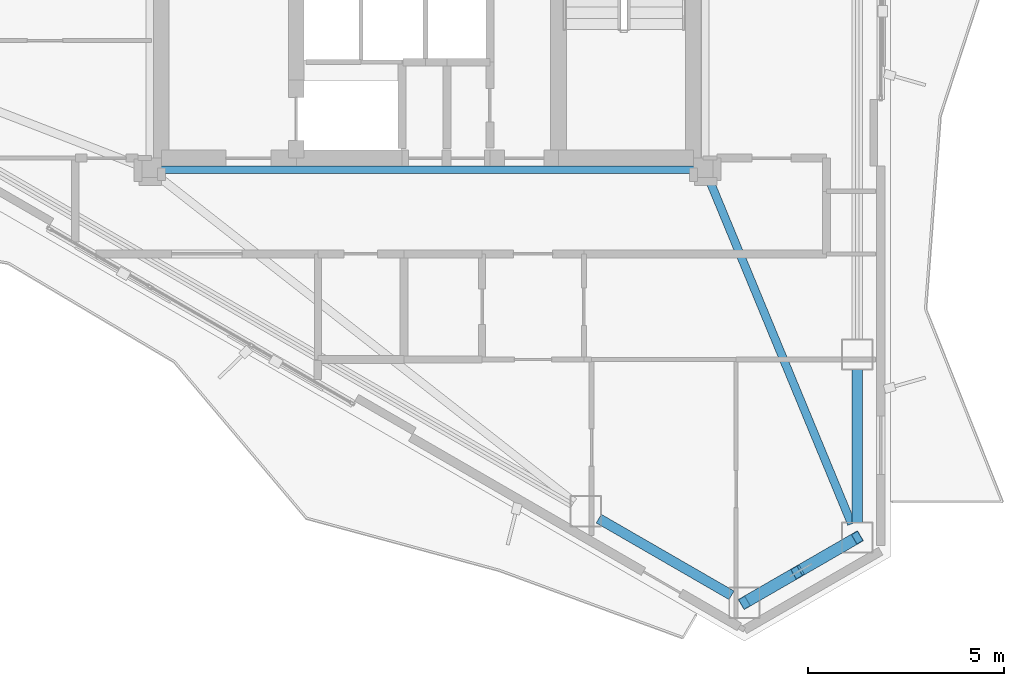
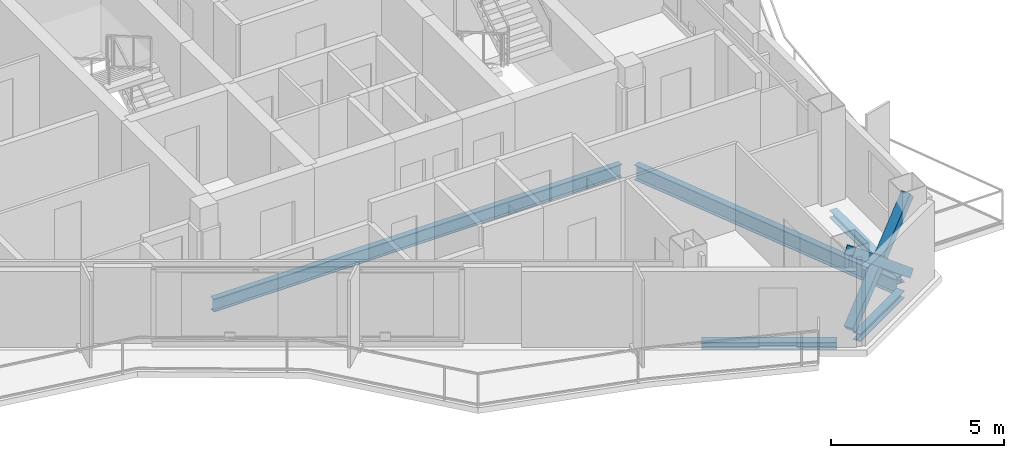
# One storey, part 5 of 22: 5 beams, 3 members.
"""IFC4 building model written with IfcOpenShell, lengths in metres."""

import ifcopenshell
import ifcopenshell.guid

model = None  # the IFC model being written
_history = None  # IfcOwnerHistory: only IFC2X3 demands one
_inside = {}  # id of a spatial element -> (the spatial element, [elements in it])
_under = {}  # id of a project, library or spatial element -> (it, [spatial elements below it])
_declared = {}  # id of a project -> (the project, [libraries it declares])
_typed = {}  # id of a type object -> (the type object, [elements of that type])
_made_of = {}  # id of a material, layer set ... -> (it, [elements and type objects made of it])


def new_model(schema):
    """Start an empty IFC model of exactly this schema.

    Asked for "IFC4X3", IfcOpenShell would pick the latest addendum, in which some entities
    have other attributes; the version numbers below select the first issue.
    IFC2X3 requires an IfcOwnerHistory on every rooted entity: one is made here for all.
    """
    global model, _history
    if schema == "IFC4X3":
        model = ifcopenshell.file(schema_version=(4, 3, 0, 0))
    else:
        model = ifcopenshell.file(schema=schema)
    _inside.clear()
    _under.clear()
    _declared.clear()
    _typed.clear()
    _made_of.clear()
    _history = None
    if model.schema == "IFC2X3":
        org = make("IfcOrganization", Name="unknown")
        user = make(
            "IfcPersonAndOrganization",
            ThePerson=make("IfcPerson", FamilyName="unknown"),
            TheOrganization=org,
        )
        app = make(
            "IfcApplication",
            ApplicationDeveloper=org,
            Version="unknown",
            ApplicationFullName="unknown",
            ApplicationIdentifier="unknown",
        )
        _history = make(
            "IfcOwnerHistory",
            OwningUser=user,
            OwningApplication=app,
            ChangeAction="ADDED",
            CreationDate=0,
        )
    return model


def make(cls, **values):
    """One entity of the class cls with the attributes given. An attribute that is None is left unset."""
    return model.create_entity(
        cls, **{name: value for name, value in values.items() if value is not None}
    )


def rooted(cls, **values):
    """An entity with a GlobalId (a new one), such as an element, a storey or a relation."""
    return make(cls, GlobalId=ifcopenshell.guid.new(), OwnerHistory=_history, **values)


def si_unit(unit_type, name, prefix=None):
    """IfcSIUnit, for example si_unit("LENGTHUNIT", "METRE", prefix="MILLI")."""
    return make("IfcSIUnit", UnitType=unit_type, Prefix=prefix, Name=name)


def assignment(units):
    """IfcUnitAssignment: the units of a project."""
    return None if units is None else make("IfcUnitAssignment", Units=units)


def point(xyz):
    """IfcCartesianPoint."""
    return None if xyz is None else make("IfcCartesianPoint", Coordinates=xyz)


def direction(xyz):
    """IfcDirection."""
    return None if xyz is None else make("IfcDirection", DirectionRatios=xyz)


def frame(location, z_axis=None, x_axis=None):
    """IfcAxis2Placement3D, a coordinate frame: its origin and axes. An axis left out is left unset."""
    return make(
        "IfcAxis2Placement3D",
        Location=point(location),
        Axis=direction(z_axis),
        RefDirection=direction(x_axis),
    )


def frame_2d(location, x_axis=None):
    """IfcAxis2Placement2D, a coordinate frame in the plane: its origin and x axis."""
    return make(
        "IfcAxis2Placement2D", Location=point(location), RefDirection=direction(x_axis)
    )


def origin():
    """The frame at (0, 0, 0) with its axes left unset."""
    return frame((0.0, 0.0, 0.0))


def origin_2d():
    """The frame at (0, 0) in the plane with its x axis left unset."""
    return frame_2d((0.0, 0.0))


def place(relative_to, where):
    """IfcLocalPlacement: puts the frame where relative to a parent placement (None: the world)."""
    return make(
        "IfcLocalPlacement", PlacementRelTo=relative_to, RelativePlacement=where
    )


def context(
    kind, dimensions, precision=None, world=None, true_north=None, identifier=None
):
    """IfcGeometricRepresentationContext, for example the 3D "Model" context."""
    return make(
        "IfcGeometricRepresentationContext",
        ContextIdentifier=identifier,
        ContextType=kind,
        CoordinateSpaceDimension=dimensions,
        Precision=precision,
        WorldCoordinateSystem=world,
        TrueNorth=true_north,
    )


def subcontext(parent, identifier, kind, view, scale=None):
    """IfcGeometricRepresentationSubContext, for example "Body" below "Model"."""
    return make(
        "IfcGeometricRepresentationSubContext",
        ContextIdentifier=identifier,
        ContextType=kind,
        ParentContext=parent,
        TargetScale=scale,
        TargetView=view,
    )


def project(units=None, contexts=None):
    """IfcProject with its units and contexts."""
    return rooted(
        "IfcProject",
        Name="project",
        RepresentationContexts=contexts,
        UnitsInContext=assignment(units),
    )


def spatial(cls, under=None, at=None, **own):
    """A site, building, storey or space (cls), placed at a placement, below another one or the project."""
    s = rooted(cls, ObjectPlacement=at, **own)
    if under is not None:
        _under.setdefault(under.id(), (under, []))[1].append(s)
    return s


def profile(cls, at=None, kind="AREA", **sizes):
    """A parametric profile (cls). Its sizes go by their IFC names, for example OverallWidth=200.0."""
    return make(cls, ProfileType=kind, Position=at, **sizes)


def hollow_rectangle(**sizes):
    """IfcRectangleHollowProfileDef."""
    return profile("IfcRectangleHollowProfileDef", **sizes)


def i_section(**sizes):
    """IfcIShapeProfileDef."""
    return profile("IfcIShapeProfileDef", **sizes)


def extrude(swept, where, along, depth):
    """IfcExtrudedAreaSolid: the profile swept, set in the frame where, extruded along a direction by depth."""
    return make(
        "IfcExtrudedAreaSolid",
        SweptArea=swept,
        Position=where,
        ExtrudedDirection=direction(along),
        Depth=depth,
    )


def shape(context_of_items, identifier, shape_type, items):
    """IfcShapeRepresentation: the items that make up one representation, for example the "Body"."""
    return make(
        "IfcShapeRepresentation",
        ContextOfItems=context_of_items,
        RepresentationIdentifier=identifier,
        RepresentationType=shape_type,
        Items=items,
    )


def material(Name=None, Category=None):
    """IfcMaterial."""
    return make("IfcMaterial", Name=Name, Category=Category)


def material_profile(
    of_material, cross_section, Name=None, Category=None, Priority=None
):
    """IfcMaterialProfile: a cross section and its material."""
    return make(
        "IfcMaterialProfile",
        Name=Name,
        Material=of_material,
        Profile=cross_section,
        Priority=Priority,
        Category=Category,
    )


def profile_set(profiles, Name=None, composite=None):
    """IfcMaterialProfileSet."""
    return make(
        "IfcMaterialProfileSet",
        Name=Name,
        MaterialProfiles=profiles,
        CompositeProfile=composite,
    )


def made_of(thing, what):
    """Note that an element or type object is made of a material, layer set ...; save() writes the relation."""
    if what is not None:
        _made_of.setdefault(what.id(), (what, []))[1].append(thing)
    return thing


def type_object(cls, material=None, **own):
    """A type object (cls), such as IfcWallType, which elements share."""
    return made_of(rooted(cls, **own), material)


def element(
    cls,
    number,
    at=None,
    inside=None,
    cuts=None,
    type_object=None,
    material=None,
    context=None,
    identifier="Body",
    shape_type=None,
    held_by="IfcProductDefinitionShape",
    body=None,
    shapes=None,
    **own,
):
    """One element of the class cls, such as IfcWall. Its Tag is "e" and its number.

    at: its placement. inside: the storey or other place that contains it. cuts: it is an
    opening in that element (IfcRelVoidsElement). A single representation is given by context,
    identifier, shape_type and body (its items); several are given by shapes. held_by: the class
    of the entity that holds the representations. save() writes the other relations.
    """
    e = rooted(cls, Tag="e%d" % number, ObjectPlacement=at, **own)
    if body is not None:
        shapes = [shape(context, identifier, shape_type, body)]
    if shapes is not None:
        e.Representation = make(held_by, Representations=shapes)
    if inside is not None:
        _inside.setdefault(inside.id(), (inside, []))[1].append(e)
    if cuts is not None:
        rooted(
            "IfcRelVoidsElement", RelatingBuildingElement=cuts, RelatedOpeningElement=e
        )
    if type_object is not None:
        _typed.setdefault(type_object.id(), (type_object, []))[1].append(e)
    return made_of(e, material)


def aggregate(whole, parts):
    """IfcRelAggregates: a whole, such as a stair, and the parts it consists of."""
    return rooted("IfcRelAggregates", RelatingObject=whole, RelatedObjects=parts)


def save(model, path):
    """Write the relations noted so far, then the file.

    IfcRelAggregates (storeys below a building ...), IfcRelContainedInSpatialStructure (elements
    in a storey), IfcRelDefinesByType, IfcRelAssociatesMaterial and IfcRelDeclares: one each for
    every whole, place, type object, material and project.
    """
    for whole, parts in _under.values():
        aggregate(whole, parts)
    for where, things in _inside.values():
        rooted(
            "IfcRelContainedInSpatialStructure",
            RelatedElements=things,
            RelatingStructure=where,
        )
    for kind, things in _typed.values():
        rooted("IfcRelDefinesByType", RelatedObjects=things, RelatingType=kind)
    for what, things in _made_of.values():
        rooted("IfcRelAssociatesMaterial", RelatedObjects=things, RelatingMaterial=what)
    for by, libraries in _declared.values():
        rooted("IfcRelDeclares", RelatingContext=by, RelatedDefinitions=libraries)
    model.write(path)


model = new_model("IFC4")

# Units and contexts
model_context = context("Model", 3, precision=1e-05, world=origin(), true_north=direction((0.0, 1.0)))
body_context = subcontext(model_context, "Body", "Model", "MODEL_VIEW")
ifc_project = project(units=[si_unit("LENGTHUNIT", "METRE"), si_unit("AREAUNIT", "SQUARE_METRE"), si_unit("VOLUMEUNIT", "CUBIC_METRE"), si_unit("PLANEANGLEUNIT", "RADIAN"), si_unit("MASSUNIT", "GRAM", prefix="KILO")], contexts=[model_context])

# Site, building, storey
site_placement = place(None, origin())
site = spatial("IfcSite", under=ifc_project, at=site_placement, CompositionType="ELEMENT")
building_placement = place(site_placement, origin())
building = spatial("IfcBuilding", under=site, at=building_placement, Name="Mersakhor Tower and Convention Hall", CompositionType="ELEMENT")
storey_placement = place(building_placement, frame((0.0, 0.0, 201.89990234375)))
storey = spatial("IfcBuildingStorey", under=building, at=storey_placement, Name="L56", CompositionType="ELEMENT", Elevation=201.89990234375)

# Beams
ifc_material_1 = material(Name="Steel S355", Category="steel")
ifc_material_profile_1 = material_profile(ifc_material_1, i_section(OverallWidth=0.19140625, OverallDepth=0.4599609375, WebThickness=0.010009765625, FlangeThickness=0.01611328125, at=origin_2d()), Name="UB 457x191x82")
ifc_profile_set_1 = profile_set([ifc_material_profile_1], Name="Steel S355")
beam_type_1 = type_object("IfcBeamType", Name="BM-FB-457", PredefinedType="BEAM", material=ifc_profile_set_1)
beam_1_placement = place(storey_placement, frame((35.820068359375, 20.449951171875, -0.4599609375), z_axis=(-1.0, 0.0, 0.0), x_axis=(0.0, -1.0, 0.0)))
element("IfcBeam", 1, at=beam_1_placement, inside=storey, type_object=beam_type_1, Name="L56 Core Ring Tie Beam CRB-4", PredefinedType="BEAM", context=body_context, shape_type="SweptSolid", body=[
    extrude(i_section(OverallWidth=0.19140625, OverallDepth=0.4599609375, WebThickness=0.010009765625, FlangeThickness=0.01611328125, at=origin_2d()), origin(), (0.0, 0.0, 1.0), 13.64013671875),
])
ifc_material_2 = material(Name="Steel S355", Category="steel")
ifc_material_profile_2 = material_profile(ifc_material_2, i_section(OverallWidth=0.2099609375, OverallDepth=0.53662109375, WebThickness=0.0107421875, FlangeThickness=0.017333984375, at=origin_2d()), Name="UB 533x210x101")
ifc_profile_set_2 = profile_set([ifc_material_profile_2], Name="Steel S355")
beam_type_2 = type_object("IfcBeamType", Name="BM-FB-533", PredefinedType="BEAM", material=ifc_profile_set_2)
beam_2_placement = place(storey_placement, frame((36.20703125, 20.19140625, -0.498291015625), z_axis=(0.382178028302, -0.924088715808, 0.0), x_axis=(0.924088715808, 0.382178028302, 0.0)))
element("IfcBeam", 2, at=beam_2_placement, inside=storey, type_object=beam_type_2, Name="L56 Primary Floor Girder FG-4", PredefinedType="BEAM", context=body_context, shape_type="SweptSolid", body=[
    extrude(i_section(OverallWidth=0.2099609375, OverallDepth=0.53662109375, WebThickness=0.0107421875, FlangeThickness=0.017333984375, at=origin_2d()), origin(), (0.0, 0.0, 1.0), 9.514404296875),
])
ifc_material_3 = material(Name="Steel S355", Category="steel")
ifc_material_profile_3 = material_profile(ifc_material_3, i_section(OverallWidth=0.25634765625, OverallDepth=0.26025390625, WebThickness=0.01025390625, FlangeThickness=0.017333984375, at=origin_2d()), Name="UC 254x254x89")
ifc_profile_set_3 = profile_set([ifc_material_profile_3], Name="Steel S355")
beam_type_3 = type_object("IfcBeamType", Name="BM-SPD-UC254", PredefinedType="SPANDREL", material=ifc_profile_set_3)
beam_3_placement = place(storey_placement, frame((39.98828125, 15.34716796875, -0.360107421875), z_axis=(0.0, -1.0, 0.0), x_axis=(1.0, 0.0, 0.0)))
element("IfcBeam", 3, at=beam_3_placement, inside=storey, type_object=beam_type_3, Name="L56 Perimeter Spandrel Beam SPB-07", PredefinedType="SPANDREL", context=body_context, shape_type="SweptSolid", body=[
    extrude(i_section(OverallWidth=0.25634765625, OverallDepth=0.26025390625, WebThickness=0.01025390625, FlangeThickness=0.017333984375, at=origin_2d()), origin(), (0.0, 0.0, 1.0), 3.919189453125),
])
beam_4_placement = place(storey_placement, frame((39.6591796875, 10.85791015625, -0.360107421875), z_axis=(-0.866036909293, -0.499980071345, 0.0), x_axis=(0.499980071345, -0.866036909293, 0.0)))
element("IfcBeam", 4, at=beam_4_placement, inside=storey, type_object=beam_type_3, Name="L56 Perimeter Spandrel Beam SPB-08", PredefinedType="SPANDREL", context=body_context, shape_type="SweptSolid", body=[
    extrude(i_section(OverallWidth=0.25634765625, OverallDepth=0.26025390625, WebThickness=0.01025390625, FlangeThickness=0.017333984375, at=origin_2d()), origin(), (0.0, 0.0, 1.0), 2.5703125),
])
beam_5_placement = place(storey_placement, frame((36.77490234375, 9.57275390625, -0.360107421875), z_axis=(-0.866007153761, 0.500031608635, 0.0), x_axis=(-0.500031608635, -0.866007153761, 0.0)))
element("IfcBeam", 5, at=beam_5_placement, inside=storey, type_object=beam_type_3, Name="L56 Perimeter Spandrel Beam SPB-09", PredefinedType="SPANDREL", context=body_context, shape_type="SweptSolid", body=[
    extrude(i_section(OverallWidth=0.25634765625, OverallDepth=0.26025390625, WebThickness=0.01025390625, FlangeThickness=0.017333984375, at=origin_2d()), origin(), (0.0, 0.0, 1.0), 3.919189453125),
])

# Members
ifc_material_4 = material(Name="Steel S355", Category="steel")
ifc_material_profile_4 = material_profile(ifc_material_4, hollow_rectangle(XDim=0.300048828125, YDim=0.300048828125, WallThickness=0.01611328125, at=origin_2d()), Name="SHS 300x300x16")
ifc_profile_set_4 = profile_set([ifc_material_profile_4], Name="Steel S355")
member_type = type_object("IfcMemberType", Name="MB-BRC-SHS300", PredefinedType="BRACE", material=ifc_profile_set_4)
member_placement = place(storey_placement, frame((39.98828125, 11.048095703125, 0.150146484375), z_axis=(-0.665824923443, -0.384424564314, 0.639448923429), x_axis=(0.50001011158, -0.866019565782, 0.0)))
element("IfcMember", 6, at=member_placement, inside=storey, type_object=member_type, Name="L56 Chamfer Braced Frame Diagonal CB-2A", PredefinedType="BRACE", context=body_context, shape_type="SweptSolid", body=[
    extrude(hollow_rectangle(XDim=0.300048828125, YDim=0.300048828125, WallThickness=0.01611328125, at=origin_2d()), origin(), (0.0, 0.0, 1.0), 4.331787109375),
])
for number, where, z_axis, x_axis, name in (
    (7, (37.10400390625, 9.3828125, 0.150146484375), (0.665831077073, 0.384475140135, 0.639412107659), (-0.50005597947, 0.86599308161, 0.0), "L56 Chamfer Braced Frame Diagonal CB-2B Lower Half"),
    (8, (38.6533203125, 10.277099609375, 1.6376953125), (0.665711462011, 0.384476371073, 0.639535901599), (-0.500124558158, 0.865953478154, 0.0), "L56 Chamfer Braced Frame Diagonal CB-2B Upper Half"),
):
    element("IfcMember", number, at=place(storey_placement, frame(where, z_axis=z_axis, x_axis=x_axis)), inside=storey, type_object=member_type, Name=name, PredefinedType="BRACE", context=body_context, shape_type="SweptSolid", body=[
        extrude(hollow_rectangle(XDim=0.300048828125, YDim=0.300048828125, WallThickness=0.01611328125, at=origin_2d()), origin(), (0.0, 0.0, 1.0), 2.00537109375),
    ])

save(model, "model.ifc")
